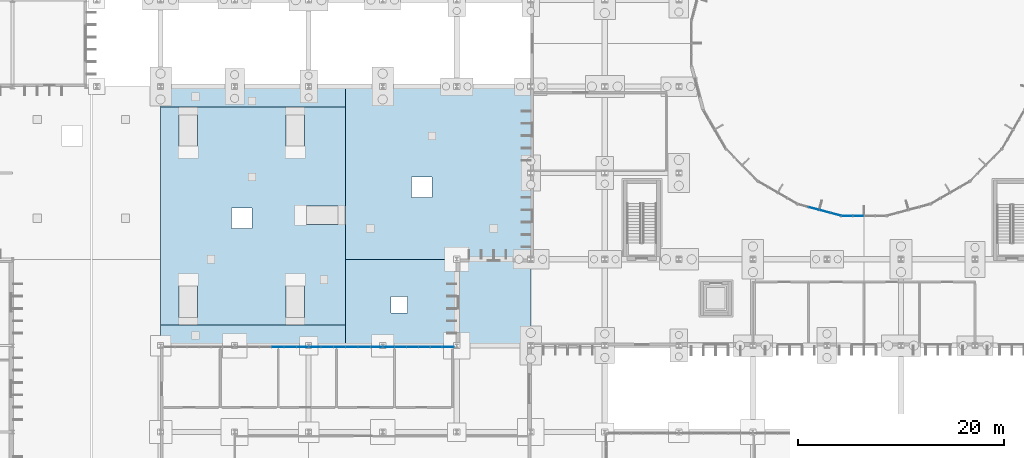
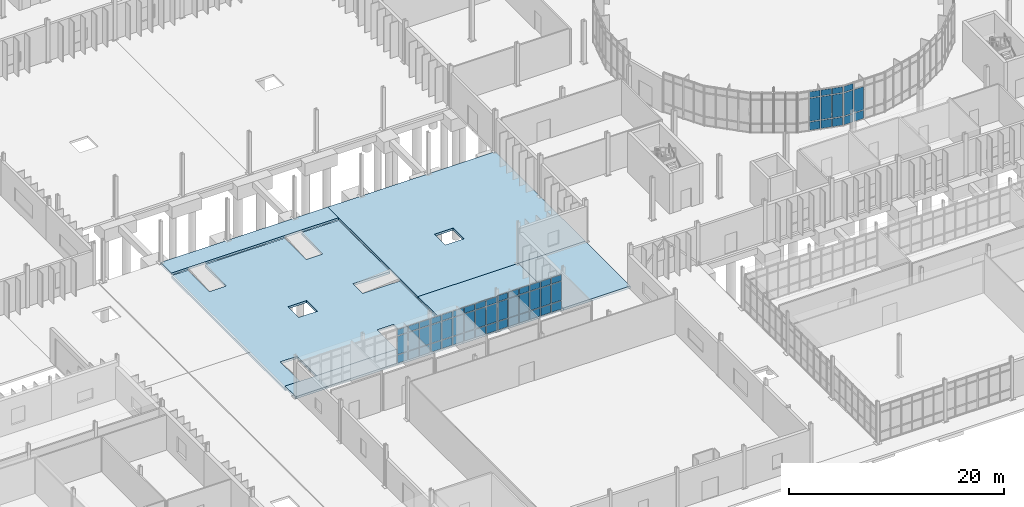
# One storey, part 57 of 118: 59 plates, 6 slabs, 5 elements without a shape of their own.
"""IFC4 building model written with IfcOpenShell, lengths in metres."""

from ifc_helpers import new_model, si_unit, direction, frame, origin, origin_2d, place, context, subcontext, project, spatial, polyline, rectangle, outline, extrude, material, layer, layer_set, type_object, element, aggregate, save


model = new_model("IFC4")

# Units and contexts
model_context = context("Model", 3, precision=1e-05, world=origin(), true_north=direction((0.0, 1.0)))
body_context = subcontext(model_context, "Body", "Model", "MODEL_VIEW")
ifc_project = project(units=[si_unit("LENGTHUNIT", "METRE"), si_unit("AREAUNIT", "SQUARE_METRE"), si_unit("VOLUMEUNIT", "CUBIC_METRE"), si_unit("PLANEANGLEUNIT", "RADIAN"), si_unit("MASSUNIT", "GRAM", prefix="KILO")], contexts=[model_context])

# Site, building, storey
site_placement = place(None, origin())
site = spatial("IfcSite", under=ifc_project, at=site_placement, CompositionType="ELEMENT")
building_placement = place(site_placement, origin())
building = spatial("IfcBuilding", under=site, at=building_placement, Name="Qelthora Terrace Specialist Clinic", CompositionType="ELEMENT")
storey_placement = place(building_placement, origin())
storey = spatial("IfcBuildingStorey", under=building, at=storey_placement, Name="L00", CompositionType="ELEMENT", Elevation=0.0)

# Curtain wall, plates
ifc_material_1 = material(Name="Aluminium anodized bronze", Category="aluminium")
curtain_wall_type_1 = type_object("IfcCurtainWallType", Name="CW-CRTE-L00", PredefinedType="NOTDEFINED", material=ifc_material_1)
curtain_wall_1_placement = place(storey_placement, origin())
curtain_wall_1 = element("IfcCurtainWall", 1, at=curtain_wall_1_placement, inside=storey, type_object=curtain_wall_type_1, Name="Curtain wall CW-CE-L00-17", PredefinedType="NOTDEFINED")
ifc_material_2 = material(Name="Low-E triple-silver insulating glass", Category="glass")
ifc_layer_1 = layer(ifc_material_2, 0.035888671875)
ifc_layer_set_1 = layer_set([ifc_layer_1], Name="Low-E triple-silver insulating glass")
plate_type = type_object("IfcPlateType", Name="CWP-IGU-36", PredefinedType="CURTAIN_PANEL", material=ifc_layer_set_1)
plate_1_placement = place(storey_placement, frame((121.12841796875, 46.937255859375, 0.0849609375), z_axis=(0.0, 0.0, 1.0), x_axis=(0.965925826289, -0.258819045103, 0.0)))
plate_1 = element("IfcPlate", 2, at=plate_1_placement, type_object=plate_type, Name="CW-CE-L00-17 glazed panel 4", PredefinedType="CURTAIN_PANEL", context=body_context, shape_type="SweptSolid", body=[
    extrude(rectangle(XDim=0.996337890625, YDim=0.035888671875, at=origin_2d()), origin(), (0.0, 0.0, 1.0), 0.919921875),
])
plate_2_placement = place(storey_placement, frame((121.12841796875, 46.937255859375, 1.094970703125), z_axis=(0.0, 0.0, 1.0), x_axis=(0.965925826289, -0.258819045103, 0.0)))
plate_2 = element("IfcPlate", 3, at=plate_2_placement, type_object=plate_type, Name="CW-CE-L00-17 glazed panel 5", PredefinedType="CURTAIN_PANEL", context=body_context, shape_type="SweptSolid", body=[
    extrude(rectangle(XDim=0.996337890625, YDim=0.035888671875, at=origin_2d()), origin(), (0.0, 0.0, 1.0), 2.60498046875),
])
plate_3_placement = place(storey_placement, frame((121.12841796875, 46.937255859375, 3.7900390625), z_axis=(0.0, 0.0, 1.0), x_axis=(0.965925826289, -0.258819045103, 0.0)))
plate_3 = element("IfcPlate", 4, at=plate_3_placement, type_object=plate_type, Name="CW-CE-L00-17 glazed panel 6", PredefinedType="CURTAIN_PANEL", context=body_context, shape_type="SweptSolid", body=[
    extrude(rectangle(XDim=0.996337890625, YDim=0.035888671875, at=origin_2d()), origin(), (0.0, 0.0, 1.0), 0.669921875),
])
plate_4_placement = place(storey_placement, frame((122.1875, 46.653564453125, 0.0849609375), z_axis=(0.0, 0.0, 1.0), x_axis=(0.965925826289, -0.258819045103, 0.0)))
plate_4 = element("IfcPlate", 5, at=plate_4_placement, type_object=plate_type, Name="CW-CE-L00-17 glazed panel 7", PredefinedType="CURTAIN_PANEL", context=body_context, shape_type="SweptSolid", body=[
    extrude(rectangle(XDim=0.996337890625, YDim=0.035888671875, at=origin_2d()), origin(), (0.0, 0.0, 1.0), 0.919921875),
])
plate_5_placement = place(storey_placement, frame((122.1875, 46.653564453125, 1.094970703125), z_axis=(0.0, 0.0, 1.0), x_axis=(0.965925826289, -0.258819045103, 0.0)))
plate_5 = element("IfcPlate", 6, at=plate_5_placement, type_object=plate_type, Name="CW-CE-L00-17 glazed panel 8", PredefinedType="CURTAIN_PANEL", context=body_context, shape_type="SweptSolid", body=[
    extrude(rectangle(XDim=0.996337890625, YDim=0.035888671875, at=origin_2d()), origin(), (0.0, 0.0, 1.0), 2.60498046875),
])
plate_6_placement = place(storey_placement, frame((122.1875, 46.653564453125, 3.7900390625), z_axis=(0.0, 0.0, 1.0), x_axis=(0.965925826289, -0.258819045103, 0.0)))
plate_6 = element("IfcPlate", 7, at=plate_6_placement, type_object=plate_type, Name="CW-CE-L00-17 glazed panel 9", PredefinedType="CURTAIN_PANEL", context=body_context, shape_type="SweptSolid", body=[
    extrude(rectangle(XDim=0.996337890625, YDim=0.035888671875, at=origin_2d()), origin(), (0.0, 0.0, 1.0), 0.669921875),
])
plate_7_placement = place(storey_placement, frame((123.24658203125, 46.36962890625, 0.0849609375), z_axis=(0.0, 0.0, 1.0), x_axis=(0.965925826289, -0.258819045103, 0.0)))
plate_7 = element("IfcPlate", 8, at=plate_7_placement, type_object=plate_type, Name="CW-CE-L00-17 glazed panel 10", PredefinedType="CURTAIN_PANEL", context=body_context, shape_type="SweptSolid", body=[
    extrude(rectangle(XDim=0.996337890625, YDim=0.035888671875, at=origin_2d()), origin(), (0.0, 0.0, 1.0), 0.919921875),
])
plate_8_placement = place(storey_placement, frame((123.24658203125, 46.36962890625, 1.094970703125), z_axis=(0.0, 0.0, 1.0), x_axis=(0.965925826289, -0.258819045103, 0.0)))
plate_8 = element("IfcPlate", 9, at=plate_8_placement, type_object=plate_type, Name="CW-CE-L00-17 glazed panel 11", PredefinedType="CURTAIN_PANEL", context=body_context, shape_type="SweptSolid", body=[
    extrude(rectangle(XDim=0.996337890625, YDim=0.035888671875, at=origin_2d()), origin(), (0.0, 0.0, 1.0), 2.60498046875),
])
plate_9_placement = place(storey_placement, frame((123.24658203125, 46.36962890625, 3.7900390625), z_axis=(0.0, 0.0, 1.0), x_axis=(0.965925826289, -0.258819045103, 0.0)))
plate_9 = element("IfcPlate", 10, at=plate_9_placement, type_object=plate_type, Name="CW-CE-L00-17 glazed panel 12", PredefinedType="CURTAIN_PANEL", context=body_context, shape_type="SweptSolid", body=[
    extrude(rectangle(XDim=0.996337890625, YDim=0.035888671875, at=origin_2d()), origin(), (0.0, 0.0, 1.0), 0.669921875),
])
aggregate(curtain_wall_1, [plate_1, plate_2, plate_3, plate_4, plate_5, plate_6, plate_7, plate_8, plate_9])

curtain_wall_2_placement = place(storey_placement, origin())
curtain_wall_2 = element("IfcCurtainWall", 11, at=curtain_wall_2_placement, inside=storey, type_object=curtain_wall_type_1, Name="Curtain wall CW-CE-L00-18", PredefinedType="NOTDEFINED")
plate_10_placement = place(storey_placement, frame((124.35546875, 46.2236328125, 0.0849609375), z_axis=(0.0, 0.0, 1.0), x_axis=(1.0, 0.0, 0.0)))
plate_10 = element("IfcPlate", 12, at=plate_10_placement, type_object=plate_type, Name="CW-CE-L00-18 glazed panel 1", PredefinedType="CURTAIN_PANEL", context=body_context, shape_type="SweptSolid", body=[
    extrude(rectangle(XDim=0.996337890625, YDim=0.035888671875, at=origin_2d()), origin(), (0.0, 0.0, 1.0), 0.919921875),
])
plate_11_placement = place(storey_placement, frame((124.35546875, 46.2236328125, 1.094970703125), z_axis=(0.0, 0.0, 1.0), x_axis=(1.0, 0.0, 0.0)))
plate_11 = element("IfcPlate", 13, at=plate_11_placement, type_object=plate_type, Name="CW-CE-L00-18 glazed panel 2", PredefinedType="CURTAIN_PANEL", context=body_context, shape_type="SweptSolid", body=[
    extrude(rectangle(XDim=0.996337890625, YDim=0.035888671875, at=origin_2d()), origin(), (0.0, 0.0, 1.0), 2.60498046875),
])
plate_12_placement = place(storey_placement, frame((124.35546875, 46.2236328125, 3.7900390625), z_axis=(0.0, 0.0, 1.0), x_axis=(1.0, 0.0, 0.0)))
plate_12 = element("IfcPlate", 14, at=plate_12_placement, type_object=plate_type, Name="CW-CE-L00-18 glazed panel 3", PredefinedType="CURTAIN_PANEL", context=body_context, shape_type="SweptSolid", body=[
    extrude(rectangle(XDim=0.996337890625, YDim=0.035888671875, at=origin_2d()), origin(), (0.0, 0.0, 1.0), 0.669921875),
])
plate_13_placement = place(storey_placement, frame((125.451904296875, 46.2236328125, 0.0849609375), z_axis=(0.0, 0.0, 1.0), x_axis=(1.0, 0.0, 0.0)))
plate_13 = element("IfcPlate", 15, at=plate_13_placement, type_object=plate_type, Name="CW-CE-L00-18 glazed panel 4", PredefinedType="CURTAIN_PANEL", context=body_context, shape_type="SweptSolid", body=[
    extrude(rectangle(XDim=0.996337890625, YDim=0.035888671875, at=origin_2d()), origin(), (0.0, 0.0, 1.0), 0.919921875),
])
plate_14_placement = place(storey_placement, frame((125.451904296875, 46.2236328125, 1.094970703125), z_axis=(0.0, 0.0, 1.0), x_axis=(1.0, 0.0, 0.0)))
plate_14 = element("IfcPlate", 16, at=plate_14_placement, type_object=plate_type, Name="CW-CE-L00-18 glazed panel 5", PredefinedType="CURTAIN_PANEL", context=body_context, shape_type="SweptSolid", body=[
    extrude(rectangle(XDim=0.996337890625, YDim=0.035888671875, at=origin_2d()), origin(), (0.0, 0.0, 1.0), 2.60498046875),
])
aggregate(curtain_wall_2, [plate_10, plate_11, plate_12, plate_13, plate_14])

curtain_wall_type_2 = type_object("IfcCurtainWallType", Name="CW-HALL-L00", PredefinedType="NOTDEFINED", material=ifc_material_1)
curtain_wall_3_placement = place(storey_placement, origin())
curtain_wall_3 = element("IfcCurtainWall", 17, at=curtain_wall_3_placement, inside=storey, type_object=curtain_wall_type_2, Name="Curtain wall CW-L00-202", PredefinedType="NOTDEFINED")
plate_15_placement = place(storey_placement, frame((69.0, 33.47998046875, 0.0849609375), z_axis=(0.0, 0.0, 1.0), x_axis=(1.0, 0.0, 0.0)))
plate_15 = element("IfcPlate", 18, at=plate_15_placement, type_object=plate_type, Name="CW-L00-202 glazed panel 10", PredefinedType="CURTAIN_PANEL", context=body_context, shape_type="SweptSolid", body=[
    extrude(rectangle(XDim=1.10009765625, YDim=0.035888671875, at=origin_2d()), origin(), (0.0, 0.0, 1.0), 0.919921875),
])
plate_16_placement = place(storey_placement, frame((69.0, 33.47998046875, 1.094970703125), z_axis=(0.0, 0.0, 1.0), x_axis=(1.0, 0.0, 0.0)))
plate_16 = element("IfcPlate", 19, at=plate_16_placement, type_object=plate_type, Name="CW-L00-202 glazed panel 11", PredefinedType="CURTAIN_PANEL", context=body_context, shape_type="SweptSolid", body=[
    extrude(rectangle(XDim=1.10009765625, YDim=0.035888671875, at=origin_2d()), origin(), (0.0, 0.0, 1.0), 2.05810546875),
])
plate_17_placement = place(storey_placement, frame((69.0, 33.47998046875, 3.242919921875), z_axis=(0.0, 0.0, 1.0), x_axis=(1.0, 0.0, 0.0)))
plate_17 = element("IfcPlate", 20, at=plate_17_placement, type_object=plate_type, Name="CW-L00-202 glazed panel 12", PredefinedType="CURTAIN_PANEL", context=body_context, shape_type="SweptSolid", body=[
    extrude(rectangle(XDim=1.10009765625, YDim=0.035888671875, at=origin_2d()), origin(), (0.0, 0.0, 1.0), 0.669921875),
])
plate_18_placement = place(storey_placement, frame((70.199951171875, 33.47998046875, 0.0849609375), z_axis=(0.0, 0.0, 1.0), x_axis=(1.0, 0.0, 0.0)))
plate_18 = element("IfcPlate", 21, at=plate_18_placement, type_object=plate_type, Name="CW-L00-202 glazed panel 13", PredefinedType="CURTAIN_PANEL", context=body_context, shape_type="SweptSolid", body=[
    extrude(rectangle(XDim=1.10009765625, YDim=0.035888671875, at=origin_2d()), origin(), (0.0, 0.0, 1.0), 0.919921875),
])
plate_19_placement = place(storey_placement, frame((70.199951171875, 33.47998046875, 1.094970703125), z_axis=(0.0, 0.0, 1.0), x_axis=(1.0, 0.0, 0.0)))
plate_19 = element("IfcPlate", 22, at=plate_19_placement, type_object=plate_type, Name="CW-L00-202 glazed panel 14", PredefinedType="CURTAIN_PANEL", context=body_context, shape_type="SweptSolid", body=[
    extrude(rectangle(XDim=1.10009765625, YDim=0.035888671875, at=origin_2d()), origin(), (0.0, 0.0, 1.0), 2.05810546875),
])
plate_20_placement = place(storey_placement, frame((70.199951171875, 33.47998046875, 3.242919921875), z_axis=(0.0, 0.0, 1.0), x_axis=(1.0, 0.0, 0.0)))
plate_20 = element("IfcPlate", 23, at=plate_20_placement, type_object=plate_type, Name="CW-L00-202 glazed panel 15", PredefinedType="CURTAIN_PANEL", context=body_context, shape_type="SweptSolid", body=[
    extrude(rectangle(XDim=1.10009765625, YDim=0.035888671875, at=origin_2d()), origin(), (0.0, 0.0, 1.0), 0.669921875),
])
plate_21_placement = place(storey_placement, frame((71.39990234375, 33.47998046875, 0.0849609375), z_axis=(0.0, 0.0, 1.0), x_axis=(1.0, 0.0, 0.0)))
plate_21 = element("IfcPlate", 24, at=plate_21_placement, type_object=plate_type, Name="CW-L00-202 glazed panel 16", PredefinedType="CURTAIN_PANEL", context=body_context, shape_type="SweptSolid", body=[
    extrude(rectangle(XDim=1.10009765625, YDim=0.035888671875, at=origin_2d()), origin(), (0.0, 0.0, 1.0), 0.919921875),
])
plate_22_placement = place(storey_placement, frame((71.39990234375, 33.47998046875, 1.094970703125), z_axis=(0.0, 0.0, 1.0), x_axis=(1.0, 0.0, 0.0)))
plate_22 = element("IfcPlate", 25, at=plate_22_placement, type_object=plate_type, Name="CW-L00-202 glazed panel 17", PredefinedType="CURTAIN_PANEL", context=body_context, shape_type="SweptSolid", body=[
    extrude(rectangle(XDim=1.10009765625, YDim=0.035888671875, at=origin_2d()), origin(), (0.0, 0.0, 1.0), 2.05810546875),
])
plate_23_placement = place(storey_placement, frame((71.39990234375, 33.47998046875, 3.242919921875), z_axis=(0.0, 0.0, 1.0), x_axis=(1.0, 0.0, 0.0)))
plate_23 = element("IfcPlate", 26, at=plate_23_placement, type_object=plate_type, Name="CW-L00-202 glazed panel 18", PredefinedType="CURTAIN_PANEL", context=body_context, shape_type="SweptSolid", body=[
    extrude(rectangle(XDim=1.10009765625, YDim=0.035888671875, at=origin_2d()), origin(), (0.0, 0.0, 1.0), 0.669921875),
])
aggregate(curtain_wall_3, [plate_15, plate_16, plate_17, plate_18, plate_19, plate_20, plate_21, plate_22, plate_23])

curtain_wall_4_placement = place(storey_placement, origin())
curtain_wall_4 = element("IfcCurtainWall", 27, at=curtain_wall_4_placement, inside=storey, type_object=curtain_wall_type_2, Name="Curtain wall CW-L00-203", PredefinedType="NOTDEFINED")
plate_24_placement = place(storey_placement, frame((72.60009765625, 33.47998046875, 0.0849609375), z_axis=(0.0, 0.0, 1.0), x_axis=(1.0, 0.0, 0.0)))
plate_24 = element("IfcPlate", 28, at=plate_24_placement, type_object=plate_type, Name="CW-L00-203 glazed panel 1", PredefinedType="CURTAIN_PANEL", context=body_context, shape_type="SweptSolid", body=[
    extrude(rectangle(XDim=1.10009765625, YDim=0.035888671875, at=origin_2d()), origin(), (0.0, 0.0, 1.0), 0.919921875),
])
plate_25_placement = place(storey_placement, frame((72.60009765625, 33.47998046875, 1.094970703125), z_axis=(0.0, 0.0, 1.0), x_axis=(1.0, 0.0, 0.0)))
plate_25 = element("IfcPlate", 29, at=plate_25_placement, type_object=plate_type, Name="CW-L00-203 glazed panel 2", PredefinedType="CURTAIN_PANEL", context=body_context, shape_type="SweptSolid", body=[
    extrude(rectangle(XDim=1.10009765625, YDim=0.035888671875, at=origin_2d()), origin(), (0.0, 0.0, 1.0), 2.06494140625),
])
plate_26_placement = place(storey_placement, frame((72.60009765625, 33.47998046875, 3.25), z_axis=(0.0, 0.0, 1.0), x_axis=(1.0, 0.0, 0.0)))
plate_26 = element("IfcPlate", 30, at=plate_26_placement, type_object=plate_type, Name="CW-L00-203 glazed panel 3", PredefinedType="CURTAIN_PANEL", context=body_context, shape_type="SweptSolid", body=[
    extrude(rectangle(XDim=1.10009765625, YDim=0.035888671875, at=origin_2d()), origin(), (0.0, 0.0, 1.0), 0.669921875),
])
plate_27_placement = place(storey_placement, frame((73.800048828125, 33.47998046875, 0.0849609375), z_axis=(0.0, 0.0, 1.0), x_axis=(1.0, 0.0, 0.0)))
plate_27 = element("IfcPlate", 31, at=plate_27_placement, type_object=plate_type, Name="CW-L00-203 glazed panel 4", PredefinedType="CURTAIN_PANEL", context=body_context, shape_type="SweptSolid", body=[
    extrude(rectangle(XDim=1.10009765625, YDim=0.035888671875, at=origin_2d()), origin(), (0.0, 0.0, 1.0), 0.919921875),
])
plate_28_placement = place(storey_placement, frame((73.800048828125, 33.47998046875, 1.094970703125), z_axis=(0.0, 0.0, 1.0), x_axis=(1.0, 0.0, 0.0)))
plate_28 = element("IfcPlate", 32, at=plate_28_placement, type_object=plate_type, Name="CW-L00-203 glazed panel 5", PredefinedType="CURTAIN_PANEL", context=body_context, shape_type="SweptSolid", body=[
    extrude(rectangle(XDim=1.10009765625, YDim=0.035888671875, at=origin_2d()), origin(), (0.0, 0.0, 1.0), 2.06494140625),
])
plate_29_placement = place(storey_placement, frame((73.800048828125, 33.47998046875, 3.25), z_axis=(0.0, 0.0, 1.0), x_axis=(1.0, 0.0, 0.0)))
plate_29 = element("IfcPlate", 33, at=plate_29_placement, type_object=plate_type, Name="CW-L00-203 glazed panel 6", PredefinedType="CURTAIN_PANEL", context=body_context, shape_type="SweptSolid", body=[
    extrude(rectangle(XDim=1.10009765625, YDim=0.035888671875, at=origin_2d()), origin(), (0.0, 0.0, 1.0), 0.669921875),
])
plate_30_placement = place(storey_placement, frame((75.0, 33.47998046875, 0.0849609375), z_axis=(0.0, 0.0, 1.0), x_axis=(1.0, 0.0, 0.0)))
plate_30 = element("IfcPlate", 34, at=plate_30_placement, type_object=plate_type, Name="CW-L00-203 glazed panel 7", PredefinedType="CURTAIN_PANEL", context=body_context, shape_type="SweptSolid", body=[
    extrude(rectangle(XDim=1.10009765625, YDim=0.035888671875, at=origin_2d()), origin(), (0.0, 0.0, 1.0), 0.919921875),
])
plate_31_placement = place(storey_placement, frame((75.0, 33.47998046875, 1.094970703125), z_axis=(0.0, 0.0, 1.0), x_axis=(1.0, 0.0, 0.0)))
plate_31 = element("IfcPlate", 35, at=plate_31_placement, type_object=plate_type, Name="CW-L00-203 glazed panel 8", PredefinedType="CURTAIN_PANEL", context=body_context, shape_type="SweptSolid", body=[
    extrude(rectangle(XDim=1.10009765625, YDim=0.035888671875, at=origin_2d()), origin(), (0.0, 0.0, 1.0), 2.06494140625),
])
plate_32_placement = place(storey_placement, frame((75.0, 33.47998046875, 3.25), z_axis=(0.0, 0.0, 1.0), x_axis=(1.0, 0.0, 0.0)))
plate_32 = element("IfcPlate", 36, at=plate_32_placement, type_object=plate_type, Name="CW-L00-203 glazed panel 9", PredefinedType="CURTAIN_PANEL", context=body_context, shape_type="SweptSolid", body=[
    extrude(rectangle(XDim=1.10009765625, YDim=0.035888671875, at=origin_2d()), origin(), (0.0, 0.0, 1.0), 0.669921875),
])
plate_33_placement = place(storey_placement, frame((76.199951171875, 33.47998046875, 0.0849609375), z_axis=(0.0, 0.0, 1.0), x_axis=(1.0, 0.0, 0.0)))
plate_33 = element("IfcPlate", 37, at=plate_33_placement, type_object=plate_type, Name="CW-L00-203 glazed panel 10", PredefinedType="CURTAIN_PANEL", context=body_context, shape_type="SweptSolid", body=[
    extrude(rectangle(XDim=1.10009765625, YDim=0.035888671875, at=origin_2d()), origin(), (0.0, 0.0, 1.0), 0.919921875),
])
plate_34_placement = place(storey_placement, frame((76.199951171875, 33.47998046875, 1.094970703125), z_axis=(0.0, 0.0, 1.0), x_axis=(1.0, 0.0, 0.0)))
plate_34 = element("IfcPlate", 38, at=plate_34_placement, type_object=plate_type, Name="CW-L00-203 glazed panel 11", PredefinedType="CURTAIN_PANEL", context=body_context, shape_type="SweptSolid", body=[
    extrude(rectangle(XDim=1.10009765625, YDim=0.035888671875, at=origin_2d()), origin(), (0.0, 0.0, 1.0), 2.06494140625),
])
plate_35_placement = place(storey_placement, frame((76.199951171875, 33.47998046875, 3.25), z_axis=(0.0, 0.0, 1.0), x_axis=(1.0, 0.0, 0.0)))
plate_35 = element("IfcPlate", 39, at=plate_35_placement, type_object=plate_type, Name="CW-L00-203 glazed panel 12", PredefinedType="CURTAIN_PANEL", context=body_context, shape_type="SweptSolid", body=[
    extrude(rectangle(XDim=1.10009765625, YDim=0.035888671875, at=origin_2d()), origin(), (0.0, 0.0, 1.0), 0.669921875),
])
plate_36_placement = place(storey_placement, frame((77.39990234375, 33.47998046875, 0.0849609375), z_axis=(0.0, 0.0, 1.0), x_axis=(1.0, 0.0, 0.0)))
plate_36 = element("IfcPlate", 40, at=plate_36_placement, type_object=plate_type, Name="CW-L00-203 glazed panel 13", PredefinedType="CURTAIN_PANEL", context=body_context, shape_type="SweptSolid", body=[
    extrude(rectangle(XDim=1.10009765625, YDim=0.035888671875, at=origin_2d()), origin(), (0.0, 0.0, 1.0), 0.919921875),
])
plate_37_placement = place(storey_placement, frame((77.39990234375, 33.47998046875, 1.094970703125), z_axis=(0.0, 0.0, 1.0), x_axis=(1.0, 0.0, 0.0)))
plate_37 = element("IfcPlate", 41, at=plate_37_placement, type_object=plate_type, Name="CW-L00-203 glazed panel 14", PredefinedType="CURTAIN_PANEL", context=body_context, shape_type="SweptSolid", body=[
    extrude(rectangle(XDim=1.10009765625, YDim=0.035888671875, at=origin_2d()), origin(), (0.0, 0.0, 1.0), 2.06494140625),
])
plate_38_placement = place(storey_placement, frame((77.39990234375, 33.47998046875, 3.25), z_axis=(0.0, 0.0, 1.0), x_axis=(1.0, 0.0, 0.0)))
plate_38 = element("IfcPlate", 42, at=plate_38_placement, type_object=plate_type, Name="CW-L00-203 glazed panel 15", PredefinedType="CURTAIN_PANEL", context=body_context, shape_type="SweptSolid", body=[
    extrude(rectangle(XDim=1.10009765625, YDim=0.035888671875, at=origin_2d()), origin(), (0.0, 0.0, 1.0), 0.669921875),
])
plate_39_placement = place(storey_placement, frame((78.60009765625, 33.47998046875, 0.0849609375), z_axis=(0.0, 0.0, 1.0), x_axis=(1.0, 0.0, 0.0)))
plate_39 = element("IfcPlate", 43, at=plate_39_placement, type_object=plate_type, Name="CW-L00-203 glazed panel 16", PredefinedType="CURTAIN_PANEL", context=body_context, shape_type="SweptSolid", body=[
    extrude(rectangle(XDim=1.10009765625, YDim=0.035888671875, at=origin_2d()), origin(), (0.0, 0.0, 1.0), 0.919921875),
])
plate_40_placement = place(storey_placement, frame((78.60009765625, 33.47998046875, 1.094970703125), z_axis=(0.0, 0.0, 1.0), x_axis=(1.0, 0.0, 0.0)))
plate_40 = element("IfcPlate", 44, at=plate_40_placement, type_object=plate_type, Name="CW-L00-203 glazed panel 17", PredefinedType="CURTAIN_PANEL", context=body_context, shape_type="SweptSolid", body=[
    extrude(rectangle(XDim=1.10009765625, YDim=0.035888671875, at=origin_2d()), origin(), (0.0, 0.0, 1.0), 2.06494140625),
])
plate_41_placement = place(storey_placement, frame((78.60009765625, 33.47998046875, 3.25), z_axis=(0.0, 0.0, 1.0), x_axis=(1.0, 0.0, 0.0)))
plate_41 = element("IfcPlate", 45, at=plate_41_placement, type_object=plate_type, Name="CW-L00-203 glazed panel 18", PredefinedType="CURTAIN_PANEL", context=body_context, shape_type="SweptSolid", body=[
    extrude(rectangle(XDim=1.10009765625, YDim=0.035888671875, at=origin_2d()), origin(), (0.0, 0.0, 1.0), 0.669921875),
])
aggregate(curtain_wall_4, [plate_24, plate_25, plate_26, plate_27, plate_28, plate_29, plate_30, plate_31, plate_32, plate_33, plate_34, plate_35, plate_36, plate_37, plate_38, plate_39, plate_40, plate_41])

curtain_wall_5_placement = place(storey_placement, origin())
curtain_wall_5 = element("IfcCurtainWall", 46, at=curtain_wall_5_placement, inside=storey, type_object=curtain_wall_type_2, Name="Curtain wall CW-L00-204", PredefinedType="NOTDEFINED")
plate_42_placement = place(storey_placement, frame((79.7783203125, 33.47998046875, 0.0849609375), z_axis=(0.0, 0.0, 1.0), x_axis=(1.0, 0.0, 0.0)))
plate_42 = element("IfcPlate", 47, at=plate_42_placement, type_object=plate_type, Name="CW-L00-204 glazed panel 1", PredefinedType="CURTAIN_PANEL", context=body_context, shape_type="SweptSolid", body=[
    extrude(rectangle(XDim=1.056640625, YDim=0.035888671875, at=origin_2d()), origin(), (0.0, 0.0, 1.0), 0.919921875),
])
plate_43_placement = place(storey_placement, frame((79.7783203125, 33.47998046875, 1.09521484375), z_axis=(0.0, 0.0, 1.0), x_axis=(1.0, 0.0, 0.0)))
plate_43 = element("IfcPlate", 48, at=plate_43_placement, type_object=plate_type, Name="CW-L00-204 glazed panel 2", PredefinedType="CURTAIN_PANEL", context=body_context, shape_type="SweptSolid", body=[
    extrude(rectangle(XDim=1.056640625, YDim=0.035888671875, at=origin_2d()), origin(), (0.0, 0.0, 1.0), 2.135986328125),
])
plate_44_placement = place(storey_placement, frame((79.7783203125, 33.47998046875, 3.321044921875), z_axis=(0.0, 0.0, 1.0), x_axis=(1.0, 0.0, 0.0)))
plate_44 = element("IfcPlate", 49, at=plate_44_placement, type_object=plate_type, Name="CW-L00-204 glazed panel 3", PredefinedType="CURTAIN_PANEL", context=body_context, shape_type="SweptSolid", body=[
    extrude(rectangle(XDim=1.056640625, YDim=0.035888671875, at=origin_2d()), origin(), (0.0, 0.0, 1.0), 0.669921875),
])
plate_45_placement = place(storey_placement, frame((80.93505859375, 33.47998046875, 0.0849609375), z_axis=(0.0, 0.0, 1.0), x_axis=(1.0, 0.0, 0.0)))
plate_45 = element("IfcPlate", 50, at=plate_45_placement, type_object=plate_type, Name="CW-L00-204 glazed panel 4", PredefinedType="CURTAIN_PANEL", context=body_context, shape_type="SweptSolid", body=[
    extrude(rectangle(XDim=1.056640625, YDim=0.035888671875, at=origin_2d()), origin(), (0.0, 0.0, 1.0), 0.919921875),
])
plate_46_placement = place(storey_placement, frame((80.93505859375, 33.47998046875, 1.09521484375), z_axis=(0.0, 0.0, 1.0), x_axis=(1.0, 0.0, 0.0)))
plate_46 = element("IfcPlate", 51, at=plate_46_placement, type_object=plate_type, Name="CW-L00-204 glazed panel 5", PredefinedType="CURTAIN_PANEL", context=body_context, shape_type="SweptSolid", body=[
    extrude(rectangle(XDim=1.056640625, YDim=0.035888671875, at=origin_2d()), origin(), (0.0, 0.0, 1.0), 2.135986328125),
])
plate_47_placement = place(storey_placement, frame((80.93505859375, 33.47998046875, 3.321044921875), z_axis=(0.0, 0.0, 1.0), x_axis=(1.0, 0.0, 0.0)))
plate_47 = element("IfcPlate", 52, at=plate_47_placement, type_object=plate_type, Name="CW-L00-204 glazed panel 6", PredefinedType="CURTAIN_PANEL", context=body_context, shape_type="SweptSolid", body=[
    extrude(rectangle(XDim=1.056640625, YDim=0.035888671875, at=origin_2d()), origin(), (0.0, 0.0, 1.0), 0.669921875),
])
plate_48_placement = place(storey_placement, frame((82.091552734375, 33.47998046875, 0.0849609375), z_axis=(0.0, 0.0, 1.0), x_axis=(1.0, 0.0, 0.0)))
plate_48 = element("IfcPlate", 53, at=plate_48_placement, type_object=plate_type, Name="CW-L00-204 glazed panel 7", PredefinedType="CURTAIN_PANEL", context=body_context, shape_type="SweptSolid", body=[
    extrude(rectangle(XDim=1.056640625, YDim=0.035888671875, at=origin_2d()), origin(), (0.0, 0.0, 1.0), 0.919921875),
])
plate_49_placement = place(storey_placement, frame((82.091552734375, 33.47998046875, 1.09521484375), z_axis=(0.0, 0.0, 1.0), x_axis=(1.0, 0.0, 0.0)))
plate_49 = element("IfcPlate", 54, at=plate_49_placement, type_object=plate_type, Name="CW-L00-204 glazed panel 8", PredefinedType="CURTAIN_PANEL", context=body_context, shape_type="SweptSolid", body=[
    extrude(rectangle(XDim=1.056640625, YDim=0.035888671875, at=origin_2d()), origin(), (0.0, 0.0, 1.0), 2.135986328125),
])
plate_50_placement = place(storey_placement, frame((82.091552734375, 33.47998046875, 3.321044921875), z_axis=(0.0, 0.0, 1.0), x_axis=(1.0, 0.0, 0.0)))
plate_50 = element("IfcPlate", 55, at=plate_50_placement, type_object=plate_type, Name="CW-L00-204 glazed panel 9", PredefinedType="CURTAIN_PANEL", context=body_context, shape_type="SweptSolid", body=[
    extrude(rectangle(XDim=1.056640625, YDim=0.035888671875, at=origin_2d()), origin(), (0.0, 0.0, 1.0), 0.669921875),
])
plate_51_placement = place(storey_placement, frame((83.248291015625, 33.47998046875, 0.0849609375), z_axis=(0.0, 0.0, 1.0), x_axis=(1.0, 0.0, 0.0)))
plate_51 = element("IfcPlate", 56, at=plate_51_placement, type_object=plate_type, Name="CW-L00-204 glazed panel 10", PredefinedType="CURTAIN_PANEL", context=body_context, shape_type="SweptSolid", body=[
    extrude(rectangle(XDim=1.056640625, YDim=0.035888671875, at=origin_2d()), origin(), (0.0, 0.0, 1.0), 0.919921875),
])
plate_52_placement = place(storey_placement, frame((83.248291015625, 33.47998046875, 1.09521484375), z_axis=(0.0, 0.0, 1.0), x_axis=(1.0, 0.0, 0.0)))
plate_52 = element("IfcPlate", 57, at=plate_52_placement, type_object=plate_type, Name="CW-L00-204 glazed panel 11", PredefinedType="CURTAIN_PANEL", context=body_context, shape_type="SweptSolid", body=[
    extrude(rectangle(XDim=1.056640625, YDim=0.035888671875, at=origin_2d()), origin(), (0.0, 0.0, 1.0), 2.135986328125),
])
plate_53_placement = place(storey_placement, frame((83.248291015625, 33.47998046875, 3.321044921875), z_axis=(0.0, 0.0, 1.0), x_axis=(1.0, 0.0, 0.0)))
plate_53 = element("IfcPlate", 58, at=plate_53_placement, type_object=plate_type, Name="CW-L00-204 glazed panel 12", PredefinedType="CURTAIN_PANEL", context=body_context, shape_type="SweptSolid", body=[
    extrude(rectangle(XDim=1.056640625, YDim=0.035888671875, at=origin_2d()), origin(), (0.0, 0.0, 1.0), 0.669921875),
])
plate_54_placement = place(storey_placement, frame((84.405029296875, 33.47998046875, 0.0849609375), z_axis=(0.0, 0.0, 1.0), x_axis=(1.0, 0.0, 0.0)))
plate_54 = element("IfcPlate", 59, at=plate_54_placement, type_object=plate_type, Name="CW-L00-204 glazed panel 13", PredefinedType="CURTAIN_PANEL", context=body_context, shape_type="SweptSolid", body=[
    extrude(rectangle(XDim=1.056640625, YDim=0.035888671875, at=origin_2d()), origin(), (0.0, 0.0, 1.0), 0.919921875),
])
plate_55_placement = place(storey_placement, frame((84.405029296875, 33.47998046875, 1.09521484375), z_axis=(0.0, 0.0, 1.0), x_axis=(1.0, 0.0, 0.0)))
plate_55 = element("IfcPlate", 60, at=plate_55_placement, type_object=plate_type, Name="CW-L00-204 glazed panel 14", PredefinedType="CURTAIN_PANEL", context=body_context, shape_type="SweptSolid", body=[
    extrude(rectangle(XDim=1.056640625, YDim=0.035888671875, at=origin_2d()), origin(), (0.0, 0.0, 1.0), 2.135986328125),
])
plate_56_placement = place(storey_placement, frame((84.405029296875, 33.47998046875, 3.321044921875), z_axis=(0.0, 0.0, 1.0), x_axis=(1.0, 0.0, 0.0)))
plate_56 = element("IfcPlate", 61, at=plate_56_placement, type_object=plate_type, Name="CW-L00-204 glazed panel 15", PredefinedType="CURTAIN_PANEL", context=body_context, shape_type="SweptSolid", body=[
    extrude(rectangle(XDim=1.056640625, YDim=0.035888671875, at=origin_2d()), origin(), (0.0, 0.0, 1.0), 0.669921875),
])
plate_57_placement = place(storey_placement, frame((85.561767578125, 33.47998046875, 0.0849609375), z_axis=(0.0, 0.0, 1.0), x_axis=(1.0, 0.0, 0.0)))
plate_57 = element("IfcPlate", 62, at=plate_57_placement, type_object=plate_type, Name="CW-L00-204 glazed panel 16", PredefinedType="CURTAIN_PANEL", context=body_context, shape_type="SweptSolid", body=[
    extrude(rectangle(XDim=1.056640625, YDim=0.035888671875, at=origin_2d()), origin(), (0.0, 0.0, 1.0), 0.919921875),
])
plate_58_placement = place(storey_placement, frame((85.561767578125, 33.47998046875, 1.09521484375), z_axis=(0.0, 0.0, 1.0), x_axis=(1.0, 0.0, 0.0)))
plate_58 = element("IfcPlate", 63, at=plate_58_placement, type_object=plate_type, Name="CW-L00-204 glazed panel 17", PredefinedType="CURTAIN_PANEL", context=body_context, shape_type="SweptSolid", body=[
    extrude(rectangle(XDim=1.056640625, YDim=0.035888671875, at=origin_2d()), origin(), (0.0, 0.0, 1.0), 2.135986328125),
])
plate_59_placement = place(storey_placement, frame((85.561767578125, 33.47998046875, 3.321044921875), z_axis=(0.0, 0.0, 1.0), x_axis=(1.0, 0.0, 0.0)))
plate_59 = element("IfcPlate", 64, at=plate_59_placement, type_object=plate_type, Name="CW-L00-204 glazed panel 18", PredefinedType="CURTAIN_PANEL", context=body_context, shape_type="SweptSolid", body=[
    extrude(rectangle(XDim=1.056640625, YDim=0.035888671875, at=origin_2d()), origin(), (0.0, 0.0, 1.0), 0.669921875),
])
aggregate(curtain_wall_5, [plate_42, plate_43, plate_44, plate_45, plate_46, plate_47, plate_48, plate_49, plate_50, plate_51, plate_52, plate_53, plate_54, plate_55, plate_56, plate_57, plate_58, plate_59])

# Slabs
ifc_material_3 = material(Name="Concrete C30/37", Category="concrete")
ifc_layer_2 = layer(ifc_material_3, 0.260009765625)
ifc_layer_set_2 = layer_set([ifc_layer_2], Name="Concrete C30/37")
slab_type_1 = type_object("IfcSlabType", Name="SLB-BASE-260-C30", PredefinedType="BASESLAB", material=ifc_layer_set_2)
slab_1_placement = place(storey_placement, frame((0.0, 0.0, -0.260009765625)))
element("IfcSlab", 65, at=slab_1_placement, inside=storey, type_object=slab_type_1, Name="L00 V1 slab SLB-L00-V1LNK", PredefinedType="BASESLAB", context=body_context, shape_type="SweptSolid", body=[
    extrude(outline(polyline([(86.39990234375, 42.0), (93.60009765625, 42.0), (93.60009765625, 33.60009765625), (86.39990234375, 33.60009765625), (86.39990234375, 42.0)])), origin(), (0.0, 0.0, 1.0), 0.260009765625),
])
ifc_layer_3 = layer(ifc_material_3, 0.25)
ifc_layer_set_3 = layer_set([ifc_layer_3], Name="Concrete C30/37")
slab_type_2 = type_object("IfcSlabType", Name="SLB-TERR-250-C30", PredefinedType="FLOOR", material=ifc_layer_set_3)
slab_2_placement = place(storey_placement, frame((0.0, 0.0, -0.25)))
element("IfcSlab", 66, at=slab_2_placement, inside=storey, type_object=slab_type_2, Name="L00 V1 slab SLB-L00-CRT2S", PredefinedType="FLOOR", context=body_context, shape_type="SweptSolid", body=[
    extrude(outline(polyline([(57.60009765625, 33.60009765625), (57.60009765625, 35.60009765625), (75.60009765625, 35.60009765625), (75.60009765625, 33.60009765625), (57.60009765625, 33.60009765625)])), origin(), (0.0, 0.0, 1.0), 0.25),
])
slab_3_placement = place(storey_placement, frame((0.0, 0.0, -0.25)))
element("IfcSlab", 67, at=slab_3_placement, inside=storey, type_object=slab_type_2, Name="L00 V1 slab SLB-L00-CRT2N", PredefinedType="FLOOR", context=body_context, shape_type="SweptSolid", body=[
    extrude(outline(polyline([(57.60009765625, 56.800048828125), (57.60009765625, 58.800048828125), (75.60009765625, 58.800048828125), (75.60009765625, 56.800048828125), (57.60009765625, 56.800048828125)])), origin(), (0.0, 0.0, 1.0), 0.25),
])
slab_4_placement = place(storey_placement, frame((0.0, 0.0, -0.25)))
element("IfcSlab", 68, at=slab_4_placement, inside=storey, type_object=slab_type_2, Name="L00 V1 slab SLB-L00-CRT2B", PredefinedType="FLOOR", context=body_context, shape_type="SweptSolid", body=[
    extrude(outline(polyline([(75.60009765625, 42.0), (75.60009765625, 58.800048828125), (93.60009765625, 58.800048828125), (93.60009765625, 42.0), (75.60009765625, 42.0)]), holes=[polyline([(82.0, 48.0), (84.0, 48.0), (84.0, 50.0), (82.0, 50.0), (82.0, 48.0)])]), origin(), (0.0, 0.0, 1.0), 0.25),
])
slab_5_placement = place(storey_placement, frame((0.0, 0.0, -0.25)))
element("IfcSlab", 69, at=slab_5_placement, inside=storey, type_object=slab_type_2, Name="L00 V1 slab SLB-L00-CRT2C", PredefinedType="FLOOR", context=body_context, shape_type="SweptSolid", body=[
    extrude(outline(polyline([(75.60009765625, 33.60009765625), (75.60009765625, 42.0), (86.39990234375, 42.0), (86.39990234375, 33.60009765625), (75.60009765625, 33.60009765625)]), holes=[polyline([(80.0, 36.800048828125), (81.60009765625, 36.800048828125), (81.60009765625, 38.39990234375), (80.0, 38.39990234375), (80.0, 36.800048828125)])]), origin(), (0.0, 0.0, 1.0), 0.25),
])
slab_6_placement = place(storey_placement, frame((0.0, 0.0, -0.550048828125)))
element("IfcSlab", 70, at=slab_6_placement, inside=storey, type_object=slab_type_2, Name="L00 V1 sunken courtyard terrace slab SLB-L00-CRT2A", PredefinedType="FLOOR", context=body_context, shape_type="SweptSolid", body=[
    extrude(outline(polyline([(61.199951171875, 52.800048828125), (61.199951171875, 56.800048828125), (69.800048828125, 56.800048828125), (69.800048828125, 52.800048828125), (71.60009765625, 52.800048828125), (71.60009765625, 56.800048828125), (75.60009765625, 56.800048828125), (75.60009765625, 47.199951171875), (71.60009765625, 47.199951171875), (71.60009765625, 45.39990234375), (75.60009765625, 45.39990234375), (75.60009765625, 35.60009765625), (71.60009765625, 35.60009765625), (71.60009765625, 39.60009765625), (69.800048828125, 39.60009765625), (69.800048828125, 35.60009765625), (61.199951171875, 35.60009765625), (61.199951171875, 39.60009765625), (59.39990234375, 39.60009765625), (59.39990234375, 35.60009765625), (57.60009765625, 35.60009765625), (57.60009765625, 56.800048828125), (59.39990234375, 56.800048828125), (59.39990234375, 52.800048828125), (61.199951171875, 52.800048828125)]), holes=[polyline([(64.5, 45.0), (66.5, 45.0), (66.5, 47.0), (64.5, 47.0), (64.5, 45.0)])]), origin(), (0.0, 0.0, 1.0), 0.25),
])

save(model, "model.ifc")
